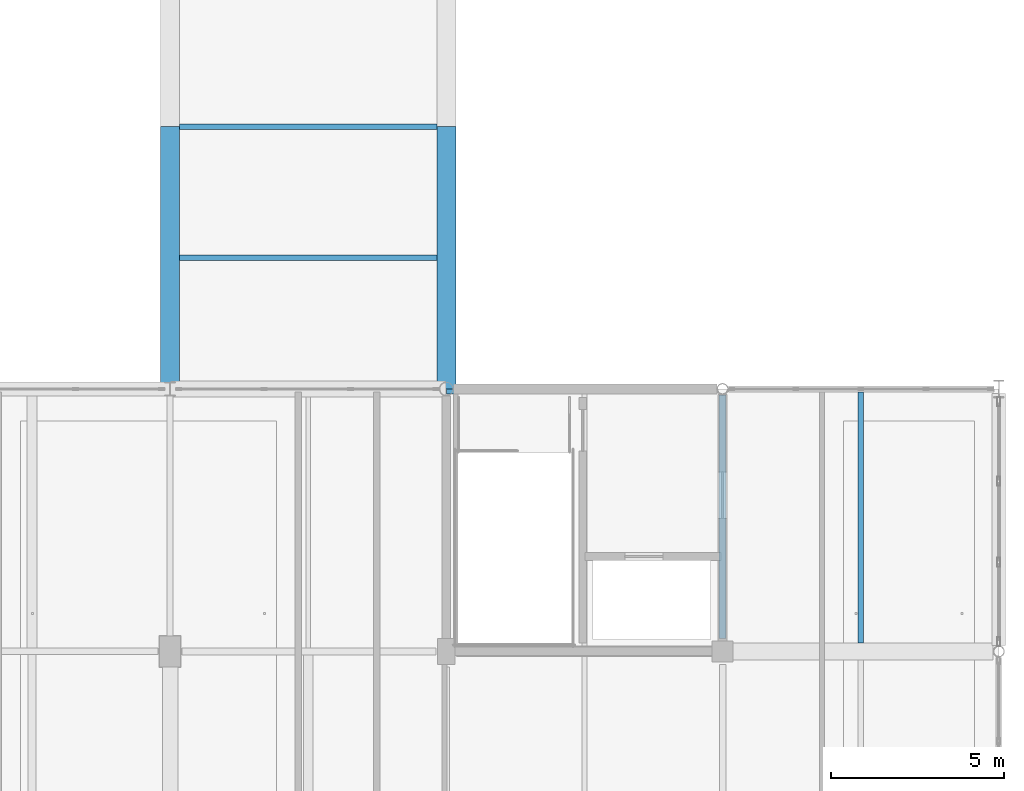
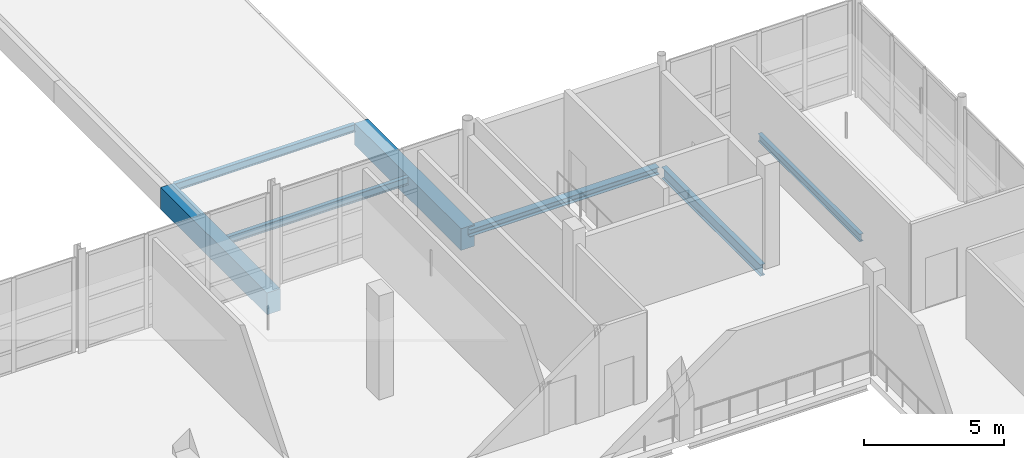
# One storey, part 45 of 107: 7 beams.
"""IFC4 building model written with IfcOpenShell, lengths in metres."""

from ifc_helpers import new_model, si_unit, direction, frame, origin, origin_2d, place, context, subcontext, project, spatial, rectangle, i_section, extrude, material, material_profile, profile_set, type_object, element, save


model = new_model("IFC4")

# Units and contexts
model_context = context("Model", 3, precision=1e-05, world=origin(), true_north=direction((0.0, 1.0)))
body_context = subcontext(model_context, "Body", "Model", "MODEL_VIEW")
ifc_project = project(units=[si_unit("LENGTHUNIT", "METRE"), si_unit("AREAUNIT", "SQUARE_METRE"), si_unit("VOLUMEUNIT", "CUBIC_METRE"), si_unit("PLANEANGLEUNIT", "RADIAN"), si_unit("MASSUNIT", "GRAM", prefix="KILO")], contexts=[model_context])

# Site, building, storey
site_placement = place(None, origin())
site = spatial("IfcSite", under=ifc_project, at=site_placement, CompositionType="ELEMENT")
building_placement = place(site_placement, origin())
building = spatial("IfcBuilding", under=site, at=building_placement, Name="Khelvaren Railside Concert Hall", CompositionType="ELEMENT")
storey_placement = place(building_placement, frame((0.0, 0.0, 15.0)))
storey = spatial("IfcBuildingStorey", under=building, at=storey_placement, Name="L03", CompositionType="ELEMENT", Elevation=15.0)

# Beams
ifc_material_1 = material(Name="Steel S355", Category="steel")
ifc_material_profile_1 = material_profile(ifc_material_1, i_section(OverallWidth=0.199951171875, OverallDepth=0.5, WebThickness=0.01025390625, FlangeThickness=0.01611328125, FilletRadius=0.02099609375, at=origin_2d()), Name="IPE 500")
ifc_profile_set_1 = profile_set([ifc_material_profile_1], Name="Steel S355")
beam_type_1 = type_object("IfcBeamType", Name="BM62", PredefinedType="BEAM", material=ifc_profile_set_1)
beam_1_placement = place(storey_placement, frame((176.0, 30.77490234375, -0.530029296875), z_axis=(0.0, 1.0, 0.0), x_axis=(-1.0, 0.0, 0.0)))
element("IfcBeam", 1, at=beam_1_placement, inside=storey, type_object=beam_type_1, Name="V2 L03 Beam Y5.5", PredefinedType="BEAM", context=body_context, shape_type="SweptSolid", body=[
    extrude(i_section(OverallWidth=0.199951171875, OverallDepth=0.5, WebThickness=0.01025390625, FlangeThickness=0.01611328125, FilletRadius=0.02099609375, at=origin_2d()), origin(), (0.0, 0.0, 1.0), 7.054443359375),
])
ifc_material_2 = material(Name="Concrete C40/50", Category="concrete")
ifc_material_profile_2 = material_profile(ifc_material_2, rectangle(XDim=0.550048828125, YDim=0.949951171875, at=origin_2d()), Name="RCB 550x950")
ifc_profile_set_2 = profile_set([ifc_material_profile_2], Name="Concrete C40/50")
beam_type_2 = type_object("IfcBeamType", Name="GR75", PredefinedType="T_BEAM", material=ifc_profile_set_2)
for number, where, z_axis, x_axis, name in (
    (2, (160.0, 38.0, -0.695068359375), (0.0, 1.0, 0.0), (-1.0, 0.0, 0.0), "East Backstage Artist Link Bridge L03 Bridge Girder 1.1"),
    (3, (168.0, 38.0, -0.695068359375), (0.0, 1.0, 0.0), (-1.0, 0.0, 0.0), "East Backstage Artist Link Bridge L03 Bridge Girder 2.1"),
):
    element("IfcBeam", number, at=place(storey_placement, frame(where, z_axis=z_axis, x_axis=x_axis)), inside=storey, type_object=beam_type_2, Name=name, PredefinedType="T_BEAM", context=body_context, shape_type="SweptSolid", body=[
        extrude(rectangle(XDim=0.550048828125, YDim=0.949951171875, at=origin_2d()), origin(), (0.0, 0.0, 1.0), 7.60009765625),
    ])
ifc_material_profile_3 = material_profile(ifc_material_1, i_section(OverallWidth=0.159912109375, OverallDepth=0.330078125, WebThickness=0.007568359375, FlangeThickness=0.011474609375, FilletRadius=0.01806640625, at=origin_2d()), Name="IPE 330")
ifc_profile_set_3 = profile_set([ifc_material_profile_3], Name="Steel S355")
beam_type_3 = type_object("IfcBeamType", Name="JS65", PredefinedType="JOIST", material=ifc_profile_set_3)
for number, where, z_axis, x_axis, name in (
    (4, (160.27490234375, 45.60009765625, -0.385009765625), (1.0, 0.0, 0.0), (0.0, 1.0, 0.0), "East Backstage Artist Link Bridge L03 Bridge Cross Joist 1"),
    (5, (160.27490234375, 41.800048828125, -0.385009765625), (1.0, 0.0, 0.0), (0.0, 1.0, 0.0), "East Backstage Artist Link Bridge L03 Bridge Cross Joist 6"),
):
    element("IfcBeam", number, at=place(storey_placement, frame(where, z_axis=z_axis, x_axis=x_axis)), inside=storey, type_object=beam_type_3, Name=name, PredefinedType="JOIST", context=body_context, shape_type="SweptSolid", body=[
        extrude(i_section(OverallWidth=0.159912109375, OverallDepth=0.330078125, WebThickness=0.007568359375, FlangeThickness=0.011474609375, FilletRadius=0.01806640625, at=origin_2d()), origin(), (0.0, 0.0, 1.0), 7.4501953125),
    ])
beam_2_placement = place(storey_placement, frame((180.0, 30.64990234375, -0.445068359375), z_axis=(0.0, 1.0, 0.0), x_axis=(-1.0, 0.0, 0.0)))
element("IfcBeam", 6, at=beam_2_placement, inside=storey, type_object=beam_type_3, Name="V2 L03 Secondary Joist 5.5", PredefinedType="JOIST", context=body_context, shape_type="SweptSolid", body=[
    extrude(i_section(OverallWidth=0.159912109375, OverallDepth=0.330078125, WebThickness=0.007568359375, FlangeThickness=0.011474609375, FilletRadius=0.01806640625, at=origin_2d()), origin(), (0.0, 0.0, 1.0), 7.26513671875),
])
ifc_material_profile_4 = material_profile(ifc_material_1, i_section(OverallWidth=0.300048828125, OverallDepth=0.31005859375, WebThickness=0.009033203125, FlangeThickness=0.015380859375, FilletRadius=0.027099609375, at=origin_2d()), Name="HEA 320")
ifc_profile_set_4 = profile_set([ifc_material_profile_4], Name="Steel S355")
beam_type_4 = type_object("IfcBeamType", Name="SP66", PredefinedType="SPANDREL", material=ifc_profile_set_4)
beam_3_placement = place(storey_placement, frame((168.010009765625, 38.0, -0.43505859375), z_axis=(1.0, 0.0, 0.0), x_axis=(0.0, 1.0, 0.0)))
element("IfcBeam", 7, at=beam_3_placement, inside=storey, type_object=beam_type_4, Name="V2 L03 Spandrel X6.4", PredefinedType="SPANDREL", context=body_context, shape_type="SweptSolid", body=[
    extrude(i_section(OverallWidth=0.300048828125, OverallDepth=0.31005859375, WebThickness=0.009033203125, FlangeThickness=0.015380859375, FilletRadius=0.027099609375, at=origin_2d()), origin(), (0.0, 0.0, 1.0), 7.8193359375),
])

save(model, "model.ifc")
